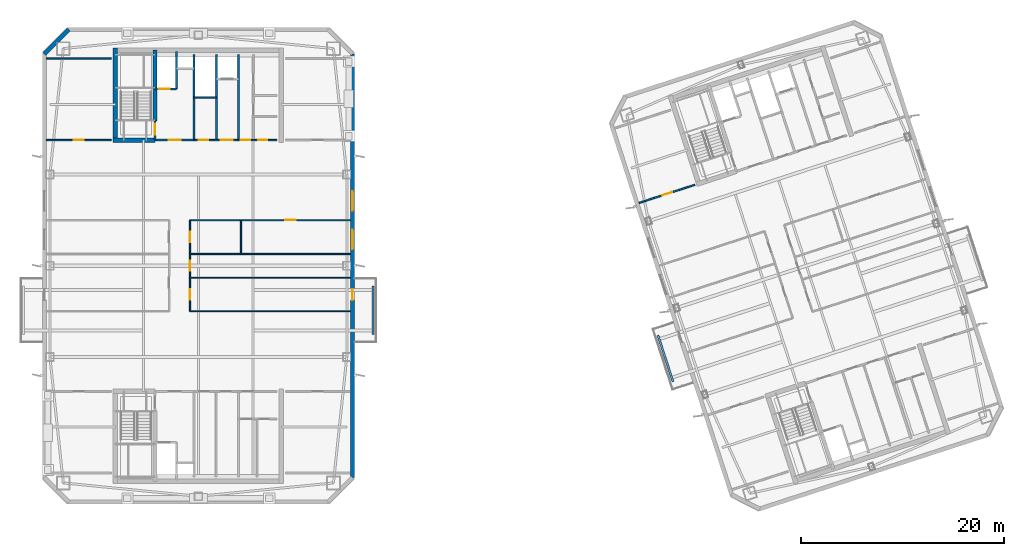
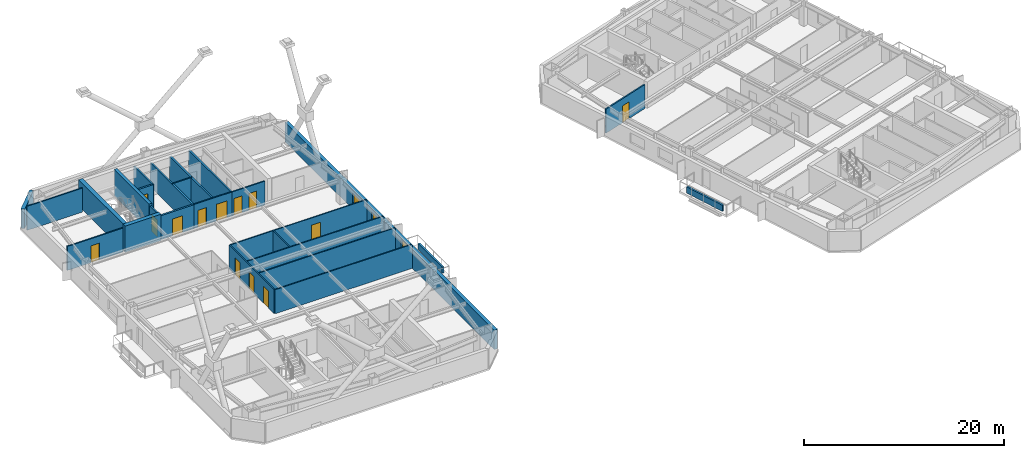
# One storey, part 7 of 18: 26 walls, 14 doors, 2 windows, 16 openings.
"""IFC4 building model written with IfcOpenShell, lengths in metres."""

from ifc_helpers import new_model, si_unit, direction, frame, frame_2d, origin, place, context, subcontext, project, spatial, rectangle, extrude, material, layer, layer_set, type_object, element, fill, save


model = new_model("IFC4")

# Units and contexts
model_context = context("Model", 3, precision=1e-05, world=origin(), true_north=direction((0.0, 1.0)))
body_context = subcontext(model_context, "Body", "Model", "MODEL_VIEW")
ifc_project = project(units=[si_unit("LENGTHUNIT", "METRE"), si_unit("AREAUNIT", "SQUARE_METRE"), si_unit("VOLUMEUNIT", "CUBIC_METRE"), si_unit("PLANEANGLEUNIT", "RADIAN"), si_unit("MASSUNIT", "GRAM", prefix="KILO")], contexts=[model_context])

# Site, building, storey
site_placement = place(None, origin())
site = spatial("IfcSite", under=ifc_project, at=site_placement, CompositionType="ELEMENT")
building_placement = place(site_placement, origin())
building = spatial("IfcBuilding", under=site, at=building_placement, Name="Qiaolan Cultural Towers", CompositionType="ELEMENT")
storey_placement = place(building_placement, frame((0.0, 0.0, 237.60009765625)))
storey = spatial("IfcBuildingStorey", under=building, at=storey_placement, Name="L64", CompositionType="ELEMENT", Elevation=237.60009765625)

# Walls
ifc_material_1 = material(Name="Concrete C50", Category="concrete")
ifc_layer_1 = layer(ifc_material_1, 0.35009765625)
ifc_layer_set_1 = layer_set([ifc_layer_1], Name="Concrete C50")
wall_type_1 = type_object("IfcWallType", Name="WL-CORE-350", PredefinedType="SHEAR", material=ifc_layer_set_1)
wall_1_placement = place(storey_placement, frame((25.719970703125, 48.300048828125, 0.0), z_axis=(0.0, 0.0, 1.0), x_axis=(0.0, 1.0, 0.0)))
element("IfcWall", 1, at=wall_1_placement, inside=storey, type_object=wall_type_1, Name="L64 T1-CN Stair Core Dividing Web", PredefinedType="SHEAR", context=body_context, shape_type="SweptSolid", body=[
    extrude(rectangle(XDim=6.97998046875, YDim=0.35009765625, at=frame_2d((3.489990234375, 0.0))), origin(), (0.0, 0.0, 1.0), 3.199951171875),
])
ifc_material_2 = material(Name="Concrete C50", Category="concrete")
ifc_layer_2 = layer(ifc_material_2, 0.449951171875)
ifc_layer_set_2 = layer_set([ifc_layer_2], Name="Concrete C50")
wall_type_2 = type_object("IfcWallType", Name="WL-CORE-450", PredefinedType="SHEAR", material=ifc_layer_set_2)
wall_2_placement = place(storey_placement, frame((21.800048828125, 46.175048828125, 0.0), z_axis=(0.0, 0.0, 1.0), x_axis=(0.0, 1.0, 0.0)))
element("IfcWall", 2, at=wall_2_placement, inside=storey, type_object=wall_type_2, Name="L64 T1-CN West Core Shear Wall", PredefinedType="SHEAR", context=body_context, shape_type="SweptSolid", body=[
    extrude(rectangle(XDim=9.329833984375, YDim=0.449951171875, at=frame_2d((4.6650390625, 0.0))), origin(), (0.0, 0.0, 1.0), 3.199951171875),
])
wall_3_placement = place(storey_placement, frame((21.574951171875, 46.39990234375, 0.0), z_axis=(0.0, 0.0, 1.0), x_axis=(1.0, 0.0, 0.0)))
element("IfcWall", 3, at=wall_3_placement, inside=storey, type_object=wall_type_2, Name="L64 T1-CN Stair Front Shear Wall", PredefinedType="SHEAR", context=body_context, shape_type="SweptSolid", body=[
    extrude(rectangle(XDim=4.14501953125, YDim=0.449951171875, at=frame_2d((2.072509765625, 0.0))), origin(), (0.0, 0.0, 1.0), 3.199951171875),
])
ifc_material_3 = material(Name="Precast Concrete C50 Honed Stone Pier", Category="masonry")
ifc_layer_3 = layer(ifc_material_3, 0.39990234375)
ifc_layer_set_3 = layer_set([ifc_layer_3], Name="Precast Concrete C50 Honed Stone Pier")
wall_type_3 = type_object("IfcWallType", Name="WL-EXT-PIER-400", PredefinedType="SOLIDWALL", material=ifc_layer_set_3)
wall_4_placement = place(storey_placement, frame((14.800048828125, 54.89990234375, 0.0), z_axis=(0.0, 0.0, 1.0), x_axis=(0.707070815327, 0.707142745217, 0.0)))
element("IfcWall", 4, at=wall_4_placement, inside=storey, type_object=wall_type_3, Name="L64 West Tower Precast Pier Facade Wall F2", PredefinedType="SOLIDWALL", context=body_context, shape_type="SweptSolid", body=[
    extrude(rectangle(XDim=3.39404296875, YDim=0.39990234375, at=frame_2d((1.697021484375, 0.0))), origin(), (0.0, 0.0, 1.0), 2.35986328125),
])

# Wall, openings, door, windows
wall_5_placement = place(storey_placement, frame((45.199951171875, 54.89990234375, 0.0), z_axis=(0.0, 0.0, 1.0), x_axis=(0.0, -1.0, 0.0)))
wall_5 = element("IfcWall", 5, at=wall_5_placement, inside=storey, type_object=wall_type_3, Name="L64 West Tower Precast Pier Facade Wall F5", PredefinedType="SOLIDWALL", context=body_context, shape_type="SweptSolid", body=[
    extrude(rectangle(XDim=41.7998046875, YDim=0.39990234375, at=frame_2d((20.89990234375, 0.0))), origin(), (0.0, 0.0, 1.0), 2.35986328125),
])
opening_1_placement = place(wall_5_placement, frame((17.324951171875, 0.0, 0.75)))
opening_1 = element("IfcOpeningElement", 6, at=opening_1_placement, cuts=wall_5, Name="Opening W-06", PredefinedType="OPENING", context=body_context, shape_type="SweptSolid", body=[
    extrude(rectangle(XDim=1.949951171875, YDim=1.2099609375, at=frame_2d((0.97509765625, 0.60498046875))), frame((0.0, 0.2099609375, 0.0), z_axis=(0.0, -1.0, 0.0), x_axis=(1.0, 0.0, 0.0)), (0.0, 0.0, 1.0), 0.419921875),
])
opening_2_placement = place(wall_5_placement, frame((13.52490234375, 0.0, 0.75)))
opening_2 = element("IfcOpeningElement", 7, at=opening_2_placement, cuts=wall_5, Name="Opening W-06", PredefinedType="OPENING", context=body_context, shape_type="SweptSolid", body=[
    extrude(rectangle(XDim=1.949951171875, YDim=1.2099609375, at=frame_2d((0.97509765625, 0.60498046875))), frame((0.0, 0.2099609375, 0.0), z_axis=(0.0, -1.0, 0.0), x_axis=(1.0, 0.0, 0.0)), (0.0, 0.0, 1.0), 0.419921875),
])
opening_3_placement = place(wall_5_placement, frame((23.199951171875, 0.0, 0.0)))
opening_3 = element("IfcOpeningElement", 8, at=opening_3_placement, cuts=wall_5, Name="Opening BD-01", PredefinedType="OPENING", context=body_context, shape_type="SweptSolid", body=[
    extrude(rectangle(XDim=1.10009765625, YDim=2.14990234375, at=frame_2d((0.550048828125, 1.074951171875))), frame((0.0, 0.2099609375, 0.0), z_axis=(0.0, -1.0, 0.0), x_axis=(1.0, 0.0, 0.0)), (0.0, 0.0, 1.0), 0.419921875),
])
ifc_material_4 = material(Name="Thermally Broken Aluminium Glazed Terrace Door", Category="aluminium")
door_type_1 = type_object("IfcDoorType", Name="DR-BAL-1100", OperationType="NOTDEFINED", PredefinedType="DOOR", material=ifc_material_4)
door_1_placement = place(opening_3_placement, origin())
door_1 = element("IfcDoor", 9, at=door_1_placement, inside=storey, type_object=door_type_1, Name="L64 T1 East Tree Balcony Door", OperationType="SINGLE_SWING_RIGHT", OverallHeight=2.14990234375, OverallWidth=1.10009765625, PredefinedType="DOOR", context=body_context, shape_type="SweptSolid", body=[
    extrude(rectangle(XDim=1.10009765625, YDim=2.14990234375, at=frame_2d((0.550048828125, 1.074951171875))), frame((0.0, 0.02490234375, 0.0), z_axis=(0.0, -1.0, 0.0), x_axis=(1.0, 0.0, 0.0)), (0.0, 0.0, 1.0), 0.050048828125),
])
fill(opening_3, door_1)
ifc_material_5 = material(Name="Thermally Broken Aluminium Triple Low-E Glazing", Category="aluminium")
window_type = type_object("IfcWindowType", Name="WN-CHIC-1950", PartitioningType="SINGLE_PANEL", PredefinedType="WINDOW", material=ifc_material_5)
window_1_placement = place(opening_1_placement, origin())
window_1 = element("IfcWindow", 10, at=window_1_placement, inside=storey, type_object=window_type, Name="L64 T1 E Chicago Bay Window 1", OverallHeight=1.2099609375, OverallWidth=1.949951171875, PartitioningType="TRIPLE_PANEL_VERTICAL", PredefinedType="WINDOW", context=body_context, shape_type="SweptSolid", body=[
    extrude(rectangle(XDim=1.949951171875, YDim=1.2099609375, at=frame_2d((0.97509765625, 0.60498046875))), frame((0.0, 0.030029296875, 0.0), z_axis=(0.0, -1.0, 0.0), x_axis=(1.0, 0.0, 0.0)), (0.0, 0.0, 1.0), 0.06005859375),
])
fill(opening_1, window_1)
window_2_placement = place(opening_2_placement, origin())
window_2 = element("IfcWindow", 11, at=window_2_placement, inside=storey, type_object=window_type, Name="L64 T1 E Chicago Bay Window 2", OverallHeight=1.2099609375, OverallWidth=1.949951171875, PartitioningType="TRIPLE_PANEL_VERTICAL", PredefinedType="WINDOW", context=body_context, shape_type="SweptSolid", body=[
    extrude(rectangle(XDim=1.949951171875, YDim=1.2099609375, at=frame_2d((0.97509765625, 0.60498046875))), frame((0.0, 0.030029296875, 0.0), z_axis=(0.0, -1.0, 0.0), x_axis=(1.0, 0.0, 0.0)), (0.0, 0.0, 1.0), 0.06005859375),
])
fill(opening_2, window_2)

# Wall, opening, door
ifc_material_6 = material(Name="Concrete C35 Fire Wall", Category="concrete")
ifc_layer_4 = layer(ifc_material_6, 0.199951171875)
ifc_layer_set_4 = layer_set([ifc_layer_4], Name="Concrete C35 Fire Wall")
wall_type_4 = type_object("IfcWallType", Name="WL-FIRE-200", PredefinedType="PARTITIONING", material=ifc_layer_set_4)
wall_6_placement = place(storey_placement, frame((25.719970703125, 46.39990234375, 0.0), z_axis=(0.0, 0.0, 1.0), x_axis=(0.0, 1.0, 0.0)))
wall_6 = element("IfcWall", 12, at=wall_6_placement, inside=storey, type_object=wall_type_4, Name="L64 T1-CN Smokeproof Stair Entry Wall", PredefinedType="PARTITIONING", context=body_context, shape_type="SweptSolid", body=[
    extrude(rectangle(XDim=1.900146484375, YDim=0.199951171875, at=frame_2d((0.9501953125, 0.0))), origin(), (0.0, 0.0, 1.0), 2.9248046875),
])
opening_4_placement = place(wall_6_placement, frame((0.52001953125, 0.0, 0.0)))
opening_4 = element("IfcOpeningElement", 13, at=opening_4_placement, cuts=wall_6, Name="Opening FD-04", PredefinedType="OPENING", context=body_context, shape_type="SweptSolid", body=[
    extrude(rectangle(XDim=1.10009765625, YDim=2.050048828125, at=frame_2d((0.550048828125, 1.02490234375))), frame((0.0, 0.10986328125, 0.0), z_axis=(0.0, -1.0, 0.0), x_axis=(1.0, 0.0, 0.0)), (0.0, 0.0, 1.0), 0.219970703125),
])
ifc_material_7 = material(Name="Galvanized Steel Command Fire Door", Category="steel")
door_type_2 = type_object("IfcDoorType", Name="DR-FD90-1100", OperationType="NOTDEFINED", PredefinedType="DOOR", material=ifc_material_7)
door_2_placement = place(opening_4_placement, origin())
door_2 = element("IfcDoor", 14, at=door_2_placement, inside=storey, type_object=door_type_2, Name="L64 ST-W2 Smokeproof Stair Fire Door", OperationType="SINGLE_SWING_LEFT", OverallHeight=2.050048828125, OverallWidth=1.10009765625, PredefinedType="DOOR", context=body_context, shape_type="SweptSolid", body=[
    extrude(rectangle(XDim=1.10009765625, YDim=2.050048828125, at=frame_2d((0.550048828125, 1.02490234375))), frame((0.0, 0.02490234375, 0.0), z_axis=(0.0, -1.0, 0.0), x_axis=(1.0, 0.0, 0.0)), (0.0, 0.0, 1.0), 0.050048828125),
])
fill(opening_4, door_2)

# Wall
wall_7_placement = place(storey_placement, frame((29.550048828125, 46.39990234375, 0.0), z_axis=(0.0, 0.0, 1.0), x_axis=(0.0, 1.0, 0.0)))
element("IfcWall", 15, at=wall_7_placement, inside=storey, type_object=wall_type_4, Name="L64 T1-CN Firefighting Zone Wall", PredefinedType="PARTITIONING", context=body_context, shape_type="SweptSolid", body=[
    extrude(rectangle(XDim=8.43017578125, YDim=0.199951171875, at=frame_2d((4.215087890625, 0.0))), origin(), (0.0, 0.0, 1.0), 2.9248046875),
])

# Wall, opening, door
wall_8_placement = place(storey_placement, frame((25.719970703125, 46.39990234375, 0.0), z_axis=(0.0, 0.0, 1.0), x_axis=(1.0, 0.0, 0.0)))
wall_8 = element("IfcWall", 16, at=wall_8_placement, inside=storey, type_object=wall_type_4, Name="L64 T1-CN Firefighting Lobby Front Wall", PredefinedType="PARTITIONING", context=body_context, shape_type="SweptSolid", body=[
    extrude(rectangle(XDim=3.830078125, YDim=0.199951171875, at=frame_2d((1.9150390625, 0.0))), origin(), (0.0, 0.0, 1.0), 2.9248046875),
])
opening_5_placement = place(wall_8_placement, frame((1.35009765625, 0.0, 0.0)))
opening_5 = element("IfcOpeningElement", 17, at=opening_5_placement, cuts=wall_8, Name="Opening FD-03", PredefinedType="OPENING", context=body_context, shape_type="SweptSolid", body=[
    extrude(rectangle(XDim=1.199951171875, YDim=2.050048828125, at=frame_2d((0.60009765625, 1.02490234375))), frame((0.0, 0.10986328125, 0.0), z_axis=(0.0, -1.0, 0.0), x_axis=(1.0, 0.0, 0.0)), (0.0, 0.0, 1.0), 0.219970703125),
])
ifc_material_8 = material(Name="Galvanized Steel Smokeproof Lobby Fire Door", Category="steel")
door_type_3 = type_object("IfcDoorType", Name="DR-FD90-1200", OperationType="NOTDEFINED", PredefinedType="DOOR", material=ifc_material_8)
door_3_placement = place(opening_5_placement, origin())
door_3 = element("IfcDoor", 18, at=door_3_placement, inside=storey, type_object=door_type_3, Name="L64 FFL-W2 Firefighting Lobby Fire Door", OperationType="SINGLE_SWING_LEFT", OverallHeight=2.050048828125, OverallWidth=1.199951171875, PredefinedType="DOOR", context=body_context, shape_type="SweptSolid", body=[
    extrude(rectangle(XDim=1.199951171875, YDim=2.050048828125, at=frame_2d((0.60009765625, 1.02490234375))), frame((0.0, 0.02490234375, 0.0), z_axis=(0.0, -1.0, 0.0), x_axis=(1.0, 0.0, 0.0)), (0.0, 0.0, 1.0), 0.050048828125),
])
fill(opening_5, door_3)

wall_9_placement = place(storey_placement, frame((25.719970703125, 51.449951171875, 0.0), z_axis=(0.0, 0.0, 1.0), x_axis=(1.0, 0.0, 0.0)))
wall_9 = element("IfcWall", 19, at=wall_9_placement, inside=storey, type_object=wall_type_4, Name="L64 T1-CN Firefighting Shaft Front Wall", PredefinedType="PARTITIONING", context=body_context, shape_type="SweptSolid", body=[
    extrude(rectangle(XDim=2.10009765625, YDim=0.199951171875, at=frame_2d((1.050048828125, 0.0))), origin(), (0.0, 0.0, 1.0), 2.9248046875),
])
opening_6_placement = place(wall_9_placement, frame((0.35009765625, 0.0, 0.0)))
opening_6 = element("IfcOpeningElement", 20, at=opening_6_placement, cuts=wall_9, Name="Opening LD-01", PredefinedType="OPENING", context=body_context, shape_type="SweptSolid", body=[
    extrude(rectangle(XDim=1.10009765625, YDim=2.050048828125, at=frame_2d((0.550048828125, 1.02490234375))), frame((0.0, 0.10986328125, 0.0), z_axis=(0.0, -1.0, 0.0), x_axis=(1.0, 0.0, 0.0)), (0.0, 0.0, 1.0), 0.219970703125),
])
ifc_material_9 = material(Name="Brushed Stainless Steel S30408 Centre-Parting Lift Landing Door", Category="steel")
door_type_4 = type_object("IfcDoorType", Name="DR-LIFT-1100", OperationType="NOTDEFINED", PredefinedType="DOOR", material=ifc_material_9)
door_4_placement = place(opening_6_placement, origin())
door_4 = element("IfcDoor", 21, at=door_4_placement, inside=storey, type_object=door_type_4, Name="L64 FFL-W2 Firefighting Lift Landing Door", OperationType="DOUBLE_DOOR_SLIDING", OverallHeight=2.050048828125, OverallWidth=1.10009765625, PredefinedType="DOOR", context=body_context, shape_type="SweptSolid", body=[
    extrude(rectangle(XDim=1.10009765625, YDim=2.050048828125, at=frame_2d((0.550048828125, 1.02490234375))), frame((0.0, 0.02490234375, 0.0), z_axis=(0.0, -1.0, 0.0), x_axis=(1.0, 0.0, 0.0)), (0.0, 0.0, 1.0), 0.050048828125),
])
fill(opening_6, door_4)

# Walls
wall_10_placement = place(storey_placement, frame((27.820068359375, 51.449951171875, 0.0), z_axis=(0.0, 0.0, 1.0), x_axis=(0.0, 1.0, 0.0)))
element("IfcWall", 22, at=wall_10_placement, inside=storey, type_object=wall_type_4, Name="L64 T1-CN Firefighting Hoistway East Wall", PredefinedType="PARTITIONING", context=body_context, shape_type="SweptSolid", body=[
    extrude(rectangle(XDim=3.699951171875, YDim=0.199951171875, at=frame_2d((1.85009765625, 0.0))), origin(), (0.0, 0.0, 1.0), 2.9248046875),
])
for number, where, z_axis, x_axis, name in (
    (23, (33.949951171875, 46.39990234375, 0.0), (0.0, 0.0, 1.0), (0.0, 1.0, 0.0), "L64 T1-CN Lift Core East Wall"),
    (24, (31.780029296875, 46.39990234375, 0.0), (0.0, 0.0, 1.0), (0.0, 1.0, 0.0), "L64 T1-CN Sky Shuttle Lift Zone Wall"),
):
    element("IfcWall", number, at=place(storey_placement, frame(where, z_axis=z_axis, x_axis=x_axis)), inside=storey, type_object=wall_type_4, Name=name, PredefinedType="PARTITIONING", context=body_context, shape_type="SweptSolid", body=[
        extrude(rectangle(XDim=8.43017578125, YDim=0.199951171875, at=frame_2d((4.215087890625, 0.0))), origin(), (0.0, 0.0, 1.0), 2.9248046875),
    ])
ifc_material_10 = material(Name="Gypsum Stud Acoustic Partition", Category="gypsum")
ifc_layer_5 = layer(ifc_material_10, 0.1201171875)
ifc_layer_set_5 = layer_set([ifc_layer_5], Name="Gypsum Stud Acoustic Partition")
wall_type_5 = type_object("IfcWallType", Name="WL-PART-120", PredefinedType="PARTITIONING", material=ifc_layer_set_5)
wall_11_placement = place(storey_placement, frame((29.175048828125, 29.5, 0.0), z_axis=(0.0, 0.0, 1.0), x_axis=(1.0, 0.0, 0.0)))
element("IfcWall", 25, at=wall_11_placement, inside=storey, type_object=wall_type_5, Name="L64 T1 South Foyer East Wall", PredefinedType="PARTITIONING", context=body_context, shape_type="SweptSolid", body=[
    extrude(rectangle(XDim=15.824951171875, YDim=0.1201171875, at=frame_2d((7.91259765625, 0.0))), origin(), (0.0, 0.0, 1.0), 2.9248046875),
])

# Wall, opening, door
wall_12_placement = place(storey_placement, frame((29.175048828125, 38.5, 0.0), z_axis=(0.0, 0.0, 1.0), x_axis=(1.0, 0.0, 0.0)))
wall_12 = element("IfcWall", 26, at=wall_12_placement, inside=storey, type_object=wall_type_5, Name="L64 T1 North Foyer East Wall", PredefinedType="PARTITIONING", context=body_context, shape_type="SweptSolid", body=[
    extrude(rectangle(XDim=15.824951171875, YDim=0.1201171875, at=frame_2d((7.91259765625, 0.0))), origin(), (0.0, 0.0, 1.0), 2.9248046875),
])
opening_7_placement = place(wall_12_placement, frame((9.385009765625, 0.0, 0.0)))
opening_7 = element("IfcOpeningElement", 27, at=opening_7_placement, cuts=wall_12, Name="Opening ID-07", PredefinedType="OPENING", context=body_context, shape_type="SweptSolid", body=[
    extrude(rectangle(XDim=1.050048828125, YDim=2.050048828125, at=frame_2d((0.52490234375, 1.02490234375))), frame((0.0, 0.070068359375, 0.0), z_axis=(0.0, -1.0, 0.0), x_axis=(1.0, 0.0, 0.0)), (0.0, 0.0, 1.0), 0.14013671875),
])
ifc_material_11 = material(Name="Oak Veneer Consultation Door", Category="timber")
door_type_5 = type_object("IfcDoorType", Name="DR-INT-1050", OperationType="NOTDEFINED", PredefinedType="DOOR", material=ifc_material_11)
door_5_placement = place(opening_7_placement, origin())
door_5 = element("IfcDoor", 28, at=door_5_placement, inside=storey, type_object=door_type_5, Name="L64 T1 Gallery Salon Door", OperationType="SINGLE_SWING_RIGHT", OverallHeight=2.050048828125, OverallWidth=1.050048828125, PredefinedType="DOOR", context=body_context, shape_type="SweptSolid", body=[
    extrude(rectangle(XDim=1.050048828125, YDim=2.050048828125, at=frame_2d((0.52490234375, 1.02490234375))), frame((0.0, 0.02490234375, 0.0), z_axis=(0.0, -1.0, 0.0), x_axis=(1.0, 0.0, 0.0)), (0.0, 0.0, 1.0), 0.050048828125),
])
fill(opening_7, door_5)

# Wall, openings, doors
wall_13_placement = place(storey_placement, frame((29.175048828125, 29.5, 0.0), z_axis=(0.0, 0.0, 1.0), x_axis=(0.0, 1.0, 0.0)))
wall_13 = element("IfcWall", 29, at=wall_13_placement, inside=storey, type_object=wall_type_5, Name="L64 T1 Central Spine East Wall", PredefinedType="PARTITIONING", context=body_context, shape_type="SweptSolid", body=[
    extrude(rectangle(XDim=9.0, YDim=0.1201171875, at=frame_2d((4.5, 0.0))), origin(), (0.0, 0.0, 1.0), 2.9248046875),
])
opening_8_placement = place(wall_13_placement, frame((1.1650390625, 0.0, 0.0)))
opening_8 = element("IfcOpeningElement", 30, at=opening_8_placement, cuts=wall_13, Name="Opening ID-04", PredefinedType="OPENING", context=body_context, shape_type="SweptSolid", body=[
    extrude(rectangle(XDim=1.0, YDim=2.050048828125, at=frame_2d((0.5, 1.02490234375))), frame((0.0, 0.070068359375, 0.0), z_axis=(0.0, -1.0, 0.0), x_axis=(1.0, 0.0, 0.0)), (0.0, 0.0, 1.0), 0.14013671875),
])
opening_9_placement = place(wall_13_placement, frame((4.0, 0.0, 0.0)))
opening_9 = element("IfcOpeningElement", 31, at=opening_9_placement, cuts=wall_13, Name="Opening ID-04", PredefinedType="OPENING", context=body_context, shape_type="SweptSolid", body=[
    extrude(rectangle(XDim=1.0, YDim=2.050048828125, at=frame_2d((0.5, 1.02490234375))), frame((0.0, 0.070068359375, 0.0), z_axis=(0.0, -1.0, 0.0), x_axis=(1.0, 0.0, 0.0)), (0.0, 0.0, 1.0), 0.14013671875),
])
opening_10_placement = place(wall_13_placement, frame((6.8349609375, 0.0, 0.0)))
opening_10 = element("IfcOpeningElement", 32, at=opening_10_placement, cuts=wall_13, Name="Opening ID-04", PredefinedType="OPENING", context=body_context, shape_type="SweptSolid", body=[
    extrude(rectangle(XDim=1.0, YDim=2.050048828125, at=frame_2d((0.5, 1.02490234375))), frame((0.0, 0.070068359375, 0.0), z_axis=(0.0, -1.0, 0.0), x_axis=(1.0, 0.0, 0.0)), (0.0, 0.0, 1.0), 0.14013671875),
])
ifc_material_12 = material(Name="Oak Veneer Acoustic Office Door", Category="timber")
door_type_6 = type_object("IfcDoorType", Name="DR-INT-1000", OperationType="NOTDEFINED", PredefinedType="DOOR", material=ifc_material_12)
door_6_placement = place(opening_8_placement, origin())
door_6 = element("IfcDoor", 33, at=door_6_placement, inside=storey, type_object=door_type_6, Name="L64 T1 Wellness Advisory Room Door", OperationType="SINGLE_SWING_RIGHT", OverallHeight=2.050048828125, OverallWidth=1.0, PredefinedType="DOOR", context=body_context, shape_type="SweptSolid", body=[
    extrude(rectangle(XDim=1.0, YDim=2.050048828125, at=frame_2d((0.5, 1.02490234375))), frame((0.0, 0.02490234375, 0.0), z_axis=(0.0, -1.0, 0.0), x_axis=(1.0, 0.0, 0.0)), (0.0, 0.0, 1.0), 0.050048828125),
])
fill(opening_8, door_6)
door_7_placement = place(opening_9_placement, origin())
door_7 = element("IfcDoor", 34, at=door_7_placement, inside=storey, type_object=door_type_6, Name="L64 T1 Art Edition Shop Door", OperationType="SINGLE_SWING_LEFT", OverallHeight=2.050048828125, OverallWidth=1.0, PredefinedType="DOOR", context=body_context, shape_type="SweptSolid", body=[
    extrude(rectangle(XDim=1.0, YDim=2.050048828125, at=frame_2d((0.5, 1.02490234375))), frame((0.0, 0.02490234375, 0.0), z_axis=(0.0, -1.0, 0.0), x_axis=(1.0, 0.0, 0.0)), (0.0, 0.0, 1.0), 0.050048828125),
])
fill(opening_9, door_7)
door_8_placement = place(opening_10_placement, origin())
door_8 = element("IfcDoor", 35, at=door_8_placement, inside=storey, type_object=door_type_6, Name="L64 T1 Private Kitchen Door", OperationType="SINGLE_SWING_LEFT", OverallHeight=2.050048828125, OverallWidth=1.0, PredefinedType="DOOR", context=body_context, shape_type="SweptSolid", body=[
    extrude(rectangle(XDim=1.0, YDim=2.050048828125, at=frame_2d((0.5, 1.02490234375))), frame((0.0, 0.02490234375, 0.0), z_axis=(0.0, -1.0, 0.0), x_axis=(1.0, 0.0, 0.0)), (0.0, 0.0, 1.0), 0.050048828125),
])
fill(opening_10, door_8)

# Walls
for number, where, z_axis, x_axis, name in (
    (36, (29.175048828125, 32.830078125, 0.0), (0.0, 0.0, 1.0), (1.0, 0.0, 0.0), "L64 T1 Interior Wall"),
    (37, (29.175048828125, 35.169921875, 0.0), (0.0, 0.0, 1.0), (1.0, 0.0, 0.0), "L64 T1 Interior Wall"),
):
    element("IfcWall", number, at=place(storey_placement, frame(where, z_axis=z_axis, x_axis=x_axis)), inside=storey, type_object=wall_type_5, Name=name, PredefinedType="PARTITIONING", context=body_context, shape_type="SweptSolid", body=[
        extrude(rectangle(XDim=15.824951171875, YDim=0.1201171875, at=frame_2d((7.91259765625, 0.0))), origin(), (0.0, 0.0, 1.0), 2.9248046875),
    ])
wall_14_placement = place(storey_placement, frame((34.199951171875, 35.169921875, 0.0), z_axis=(0.0, 0.0, 1.0), x_axis=(0.0, 1.0, 0.0)))
element("IfcWall", 38, at=wall_14_placement, inside=storey, type_object=wall_type_5, Name="L64 T1 Interior Wall", PredefinedType="PARTITIONING", context=body_context, shape_type="SweptSolid", body=[
    extrude(rectangle(XDim=3.330078125, YDim=0.1201171875, at=frame_2d((1.6650390625, 0.0))), origin(), (0.0, 0.0, 1.0), 2.9248046875),
])

# Wall, openings, doors
ifc_material_13 = material(Name="Autoclaved Aerated Concrete Block B06", Category="concrete")
ifc_layer_6 = layer(ifc_material_13, 0.14990234375)
ifc_layer_set_6 = layer_set([ifc_layer_6], Name="Autoclaved Aerated Concrete Block B06")
wall_type_6 = type_object("IfcWallType", Name="WL-PART-150", PredefinedType="PARTITIONING", material=ifc_layer_set_6)
wall_15_placement = place(storey_placement, frame((29.550048828125, 46.39990234375, 0.0), z_axis=(0.0, 0.0, 1.0), x_axis=(1.0, 0.0, 0.0)))
wall_15 = element("IfcWall", 39, at=wall_15_placement, inside=storey, type_object=wall_type_6, Name="L64 T1-CN High-Zone Lift Lobby Wall", PredefinedType="PARTITIONING", context=body_context, shape_type="SweptSolid", body=[
    extrude(rectangle(XDim=4.39990234375, YDim=0.14990234375, at=frame_2d((2.199951171875, 0.0))), origin(), (0.0, 0.0, 1.0), 2.9248046875),
])
opening_11_placement = place(wall_15_placement, frame((0.5, 0.0, 0.0)))
opening_11 = element("IfcOpeningElement", 40, at=opening_11_placement, cuts=wall_15, Name="Opening ID-05", PredefinedType="OPENING", context=body_context, shape_type="SweptSolid", body=[
    extrude(rectangle(XDim=0.949951171875, YDim=2.050048828125, at=frame_2d((0.47509765625, 1.02490234375))), frame((0.0, 0.0849609375, 0.0), z_axis=(0.0, -1.0, 0.0), x_axis=(1.0, 0.0, 0.0)), (0.0, 0.0, 1.0), 0.169921875),
])
opening_12_placement = place(wall_15_placement, frame((2.64990234375, 0.0, 0.0)))
opening_12 = element("IfcOpeningElement", 41, at=opening_12_placement, cuts=wall_15, Name="Opening FD-06", PredefinedType="OPENING", context=body_context, shape_type="SweptSolid", body=[
    extrude(rectangle(XDim=1.199951171875, YDim=2.050048828125, at=frame_2d((0.60009765625, 1.02490234375))), frame((0.0, 0.0849609375, 0.0), z_axis=(0.0, -1.0, 0.0), x_axis=(1.0, 0.0, 0.0)), (0.0, 0.0, 1.0), 0.169921875),
])
ifc_material_14 = material(Name="Painted Steel Plant Fire Door", Category="steel")
door_type_7 = type_object("IfcDoorType", Name="DR-FD60-1200", OperationType="NOTDEFINED", PredefinedType="DOOR", material=ifc_material_14)
door_9_placement = place(opening_12_placement, origin())
door_9 = element("IfcDoor", 42, at=door_9_placement, inside=storey, type_object=door_type_7, Name="L64 Sky Shuttle Lift Lobby Door", OperationType="SINGLE_SWING_RIGHT", OverallHeight=2.050048828125, OverallWidth=1.199951171875, PredefinedType="DOOR", context=body_context, shape_type="SweptSolid", body=[
    extrude(rectangle(XDim=1.199951171875, YDim=2.050048828125, at=frame_2d((0.60009765625, 1.02490234375))), frame((0.0, 0.02490234375, 0.0), z_axis=(0.0, -1.0, 0.0), x_axis=(1.0, 0.0, 0.0)), (0.0, 0.0, 1.0), 0.050048828125),
])
fill(opening_12, door_9)
ifc_material_15 = material(Name="Fire-Rated Laminate Accessible Core Door", Category="timber")
door_type_8 = type_object("IfcDoorType", Name="DR-INT-950", OperationType="NOTDEFINED", PredefinedType="DOOR", material=ifc_material_15)
door_10_placement = place(opening_11_placement, origin())
door_10 = element("IfcDoor", 43, at=door_10_placement, inside=storey, type_object=door_type_8, Name="L64 Reclaimed Server Room Door", OperationType="SINGLE_SWING_LEFT", OverallHeight=2.050048828125, OverallWidth=0.949951171875, PredefinedType="DOOR", context=body_context, shape_type="SweptSolid", body=[
    extrude(rectangle(XDim=0.949951171875, YDim=2.050048828125, at=frame_2d((0.47509765625, 1.02490234375))), frame((0.0, 0.02490234375, 0.0), z_axis=(0.0, -1.0, 0.0), x_axis=(1.0, 0.0, 0.0)), (0.0, 0.0, 1.0), 0.050048828125),
])
fill(opening_11, door_10)

# Wall
wall_16_placement = place(storey_placement, frame((29.550048828125, 50.60009765625, 0.0), z_axis=(0.0, 0.0, 1.0), x_axis=(1.0, 0.0, 0.0)))
element("IfcWall", 44, at=wall_16_placement, inside=storey, type_object=wall_type_6, Name="L64 T1-CN High-Zone Reclaimed Split", PredefinedType="PARTITIONING", context=body_context, shape_type="SweptSolid", body=[
    extrude(rectangle(XDim=2.22998046875, YDim=0.14990234375, at=frame_2d((1.114990234375, 0.0))), origin(), (0.0, 0.0, 1.0), 2.9248046875),
])

# Wall, openings, doors
wall_17_placement = place(storey_placement, frame((33.949951171875, 46.39990234375, 0.0), z_axis=(0.0, 0.0, 1.0), x_axis=(1.0, 0.0, 0.0)))
wall_17 = element("IfcWall", 45, at=wall_17_placement, inside=storey, type_object=wall_type_6, Name="L64 T1-CN Sanitary Core Front Wall", PredefinedType="PARTITIONING", context=body_context, shape_type="SweptSolid", body=[
    extrude(rectangle(XDim=3.800048828125, YDim=0.14990234375, at=frame_2d((1.89990234375, 0.0))), origin(), (0.0, 0.0, 1.0), 2.9248046875),
])
opening_13_placement = place(wall_17_placement, frame((0.219970703125, 0.0, 0.0)))
opening_13 = element("IfcOpeningElement", 46, at=opening_13_placement, cuts=wall_17, Name="Opening ID-05", PredefinedType="OPENING", context=body_context, shape_type="SweptSolid", body=[
    extrude(rectangle(XDim=0.949951171875, YDim=2.050048828125, at=frame_2d((0.47509765625, 1.02490234375))), frame((0.0, 0.0849609375, 0.0), z_axis=(0.0, -1.0, 0.0), x_axis=(1.0, 0.0, 0.0)), (0.0, 0.0, 1.0), 0.169921875),
])
opening_14_placement = place(wall_17_placement, frame((1.949951171875, 0.0, 0.0)))
opening_14 = element("IfcOpeningElement", 47, at=opening_14_placement, cuts=wall_17, Name="Opening ID-06", PredefinedType="OPENING", context=body_context, shape_type="SweptSolid", body=[
    extrude(rectangle(XDim=0.89990234375, YDim=2.050048828125, at=frame_2d((0.449951171875, 1.02490234375))), frame((0.0, 0.0849609375, 0.0), z_axis=(0.0, -1.0, 0.0), x_axis=(1.0, 0.0, 0.0)), (0.0, 0.0, 1.0), 0.169921875),
])
ifc_material_16 = material(Name="Fire-Rated Laminate Core Service Door", Category="timber")
door_type_9 = type_object("IfcDoorType", Name="DR-INT-900", OperationType="NOTDEFINED", PredefinedType="DOOR", material=ifc_material_16)
door_11_placement = place(opening_14_placement, origin())
door_11 = element("IfcDoor", 48, at=door_11_placement, inside=storey, type_object=door_type_9, Name="L64 Core Tea Pantry Door", OperationType="SINGLE_SWING_RIGHT", OverallHeight=2.050048828125, OverallWidth=0.89990234375, PredefinedType="DOOR", context=body_context, shape_type="SweptSolid", body=[
    extrude(rectangle(XDim=0.89990234375, YDim=2.050048828125, at=frame_2d((0.449951171875, 1.02490234375))), frame((0.0, 0.02490234375, 0.0), z_axis=(0.0, -1.0, 0.0), x_axis=(1.0, 0.0, 0.0)), (0.0, 0.0, 1.0), 0.050048828125),
])
fill(opening_14, door_11)
door_12_placement = place(opening_13_placement, origin())
door_12 = element("IfcDoor", 49, at=door_12_placement, inside=storey, type_object=door_type_8, Name="L64 Sanitary Passage Door", OperationType="SINGLE_SWING_LEFT", OverallHeight=2.050048828125, OverallWidth=0.949951171875, PredefinedType="DOOR", context=body_context, shape_type="SweptSolid", body=[
    extrude(rectangle(XDim=0.949951171875, YDim=2.050048828125, at=frame_2d((0.47509765625, 1.02490234375))), frame((0.0, 0.02490234375, 0.0), z_axis=(0.0, -1.0, 0.0), x_axis=(1.0, 0.0, 0.0)), (0.0, 0.0, 1.0), 0.050048828125),
])
fill(opening_13, door_12)

# Wall
wall_18_placement = place(storey_placement, frame((15.0, 54.449951171875, 0.0), z_axis=(0.0, 0.0, 1.0), x_axis=(1.0, 0.0, 0.0)))
element("IfcWall", 50, at=wall_18_placement, inside=storey, type_object=wall_type_6, Name="L64 T1 Flank Wall FLK-NW", PredefinedType="PARTITIONING", context=body_context, shape_type="SweptSolid", body=[
    extrude(rectangle(XDim=6.39990234375, YDim=0.14990234375, at=frame_2d((3.199951171875, 0.0))), origin(), (0.0, 0.0, 1.0), 2.9248046875),
])

# Wall, opening, door
wall_19_placement = place(storey_placement, frame((15.0, 46.39990234375, 0.0), z_axis=(0.0, 0.0, 1.0), x_axis=(1.0, 0.0, 0.0)))
wall_19 = element("IfcWall", 51, at=wall_19_placement, inside=storey, type_object=wall_type_6, Name="L64 T1 Flank Front FLK-NW", PredefinedType="PARTITIONING", context=body_context, shape_type="SweptSolid", body=[
    extrude(rectangle(XDim=6.39990234375, YDim=0.14990234375, at=frame_2d((3.199951171875, 0.0))), origin(), (0.0, 0.0, 1.0), 2.9248046875),
])
opening_15_placement = place(wall_19_placement, frame((2.68798828125, 0.0, 0.0)))
opening_15 = element("IfcOpeningElement", 52, at=opening_15_placement, cuts=wall_19, Name="Opening ID-04", PredefinedType="OPENING", context=body_context, shape_type="SweptSolid", body=[
    extrude(rectangle(XDim=1.0, YDim=2.050048828125, at=frame_2d((0.5, 1.02490234375))), frame((0.0, 0.0849609375, 0.0), z_axis=(0.0, -1.0, 0.0), x_axis=(1.0, 0.0, 0.0)), (0.0, 0.0, 1.0), 0.169921875),
])
door_13_placement = place(opening_15_placement, origin())
door_13 = element("IfcDoor", 53, at=door_13_placement, inside=storey, type_object=door_type_6, Name="L64 T1 Corner Studio Door", OperationType="SINGLE_SWING_LEFT", OverallHeight=2.050048828125, OverallWidth=1.0, PredefinedType="DOOR", context=body_context, shape_type="SweptSolid", body=[
    extrude(rectangle(XDim=1.0, YDim=2.050048828125, at=frame_2d((0.5, 1.02490234375))), frame((0.0, 0.02490234375, 0.0), z_axis=(0.0, -1.0, 0.0), x_axis=(1.0, 0.0, 0.0)), (0.0, 0.0, 1.0), 0.050048828125),
])
fill(opening_15, door_13)

wall_20_placement = place(storey_placement, frame((73.476318359375, 40.197265625, 0.0), z_axis=(0.0, 0.0, 1.0), x_axis=(0.951059431056, 0.309008023519, 0.0)))
wall_20 = element("IfcWall", 54, at=wall_20_placement, inside=storey, type_object=wall_type_6, Name="L64 T2 Flank Front FLK-NW", PredefinedType="PARTITIONING", context=body_context, shape_type="SweptSolid", body=[
    extrude(rectangle(XDim=5.800048828125, YDim=0.14990234375, at=frame_2d((2.89990234375, 0.0))), origin(), (0.0, 0.0, 1.0), 2.9248046875),
])
opening_16_placement = place(wall_20_placement, frame((2.43603515625, 0.0, 0.0)))
opening_16 = element("IfcOpeningElement", 55, at=opening_16_placement, cuts=wall_20, Name="Opening ID-04", PredefinedType="OPENING", context=body_context, shape_type="SweptSolid", body=[
    extrude(rectangle(XDim=1.0, YDim=2.050048828125, at=frame_2d((0.5, 1.02490234375))), frame((0.0, 0.0849609375, 0.0), z_axis=(0.0, -1.0, 0.0), x_axis=(1.0, 0.0, 0.0)), (0.0, 0.0, 1.0), 0.169921875),
])
door_14_placement = place(opening_16_placement, origin())
door_14 = element("IfcDoor", 56, at=door_14_placement, inside=storey, type_object=door_type_6, Name="L64 T2 Corner Studio Door", OperationType="SINGLE_SWING_LEFT", OverallHeight=2.050048828125, OverallWidth=1.0, PredefinedType="DOOR", context=body_context, shape_type="SweptSolid", body=[
    extrude(rectangle(XDim=1.0, YDim=2.050048828125, at=frame_2d((0.5, 1.02490234375))), frame((0.0, 0.02490234375, 0.0), z_axis=(0.0, -1.0, 0.0), x_axis=(1.0, 0.0, 0.0)), (0.0, 0.0, 1.0), 0.050048828125),
])
fill(opening_16, door_14)

# Walls
ifc_material_17 = material(Name="Precast Concrete C45 Tree Planter Upstand", Category="concrete")
ifc_layer_7 = layer(ifc_material_17, 0.199951171875)
ifc_layer_set_7 = layer_set([ifc_layer_7], Name="Precast Concrete C45 Tree Planter Upstand")
wall_type_7 = type_object("IfcWallType", Name="WL-PLANTER-200", PredefinedType="PARAPET", material=ifc_layer_set_7)
for number, where, z_axis, x_axis, name in (
    (57, (47.25, 27.199951171875, 0.0), (0.0, 0.0, 1.0), (0.0, 1.0, 0.0), "L64 T1 Tree Balcony Soil Planter Box E"),
    (58, (76.8369140625, 22.572998046875, 0.0), (0.0, 0.0, 1.0), (-0.309032019345, 0.951051634255, 0.0), "L64 T2 Tree Balcony Soil Planter Box W"),
):
    element("IfcWall", number, at=place(storey_placement, frame(where, z_axis=z_axis, x_axis=x_axis)), inside=storey, type_object=wall_type_7, Name=name, PredefinedType="PARAPET", context=body_context, shape_type="SweptSolid", body=[
        extrude(rectangle(XDim=4.800048828125, YDim=0.199951171875, at=frame_2d((2.39990234375, 0.0))), origin(), (0.0, 0.0, 1.0), 0.75),
    ])

save(model, "model.ifc")
